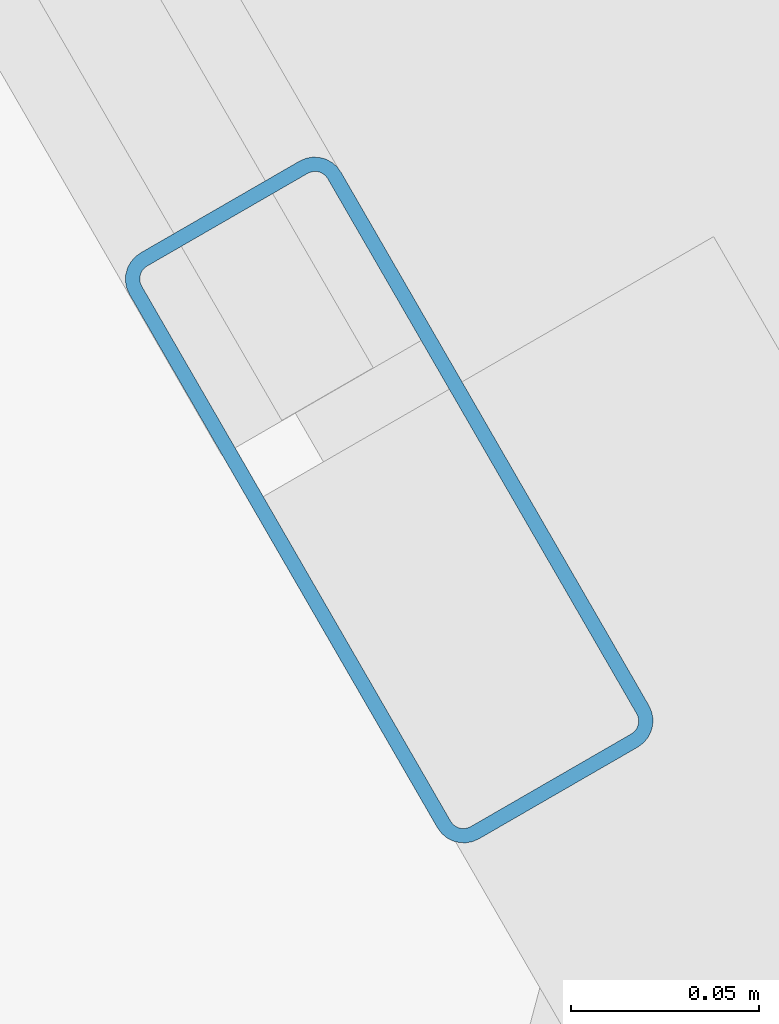
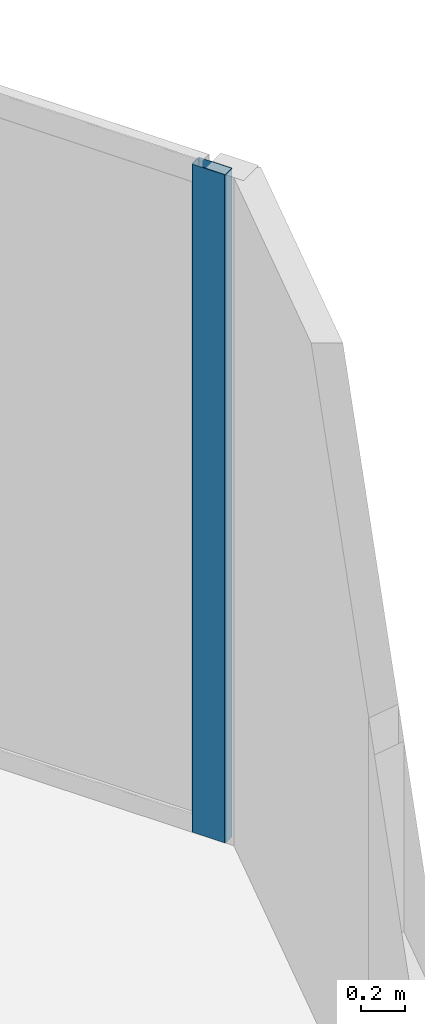
# One storey, part 18 of 26: 1 member, 1 element without a shape of its own.
"""IFC4 building model written with IfcOpenShell, lengths in metres."""

from ifc_helpers import new_model, si_unit, direction, frame, origin, origin_2d, place, context, subcontext, project, spatial, hollow_rectangle, extrude, source, transform, mapped, material, material_profile, profile_set, type_object, element, aggregate, save


model = new_model("IFC4")

# Units and contexts
model_context = context("Model", 3, precision=1e-05, world=origin(), true_north=direction((0.0, 1.0)))
body_context = subcontext(model_context, "Body", "Model", "MODEL_VIEW")
ifc_project = project(units=[si_unit("LENGTHUNIT", "METRE"), si_unit("AREAUNIT", "SQUARE_METRE"), si_unit("VOLUMEUNIT", "CUBIC_METRE"), si_unit("PLANEANGLEUNIT", "RADIAN"), si_unit("MASSUNIT", "GRAM", prefix="KILO")], contexts=[model_context])

# Site, building, storey
site_placement = place(None, origin())
site = spatial("IfcSite", under=ifc_project, at=site_placement, CompositionType="ELEMENT")
building_placement = place(site_placement, origin())
building = spatial("IfcBuilding", under=site, at=building_placement, Name="Torre Montelarca", CompositionType="ELEMENT")
storey_placement = place(building_placement, frame((0.0, 0.0, 104.199951171875)))
storey = spatial("IfcBuildingStorey", under=building, at=storey_placement, Name="L23", CompositionType="ELEMENT", Elevation=104.199951171875)

# Curtain wall, member
ifc_material_1 = material(Name="Insulated low-E laminated glass", Category="glass")
curtain_wall_type = type_object("IfcCurtainWallType", Name="CW-SYS-Z1", PredefinedType="USERDEFINED", material=ifc_material_1)
curtain_wall_placement = place(storey_placement, origin())
curtain_wall = element("IfcCurtainWall", 1, at=curtain_wall_placement, inside=storey, type_object=curtain_wall_type, Name="L23 Curtain Wall Run CW-T3-L23-E07-B1", ObjectType="UNITISED GLAZING", PredefinedType="USERDEFINED")
ifc_material_2 = material(Name="Anodised aluminium AA 6063-T6", Category="aluminium")
ifc_material_profile = material_profile(ifc_material_2, hollow_rectangle(XDim=0.06494140625, YDim=0.179931640625, WallThickness=0.00390625, InnerFilletRadius=0.00390625, OuterFilletRadius=0.008056640625, at=origin_2d()), Name="ALU65X180X4", Category="aluminium")
ifc_profile_set = profile_set([ifc_material_profile], Name="Anodised aluminium AA 6063-T6")
member_type = type_object("IfcMemberType", Name="CWM-ALU180", PredefinedType="MULLION", material=ifc_profile_set)
shared_shape = source(origin(), body_context, "Body", "SweptSolid", [
    extrude(hollow_rectangle(XDim=0.06494140625, YDim=0.179931640625, WallThickness=0.00390625, InnerFilletRadius=0.00390625, OuterFilletRadius=0.008056640625, at=origin_2d()), origin(), (0.0, 0.0, 1.0), 3.719970703125),
])
member_placement = place(storey_placement, frame((62.3740234375, 33.210693359375, 0.0), z_axis=(0.0, 0.0, 1.0), x_axis=(-0.866020776749, -0.500008014176, 0.0)))
member = element("IfcMember", 2, at=member_placement, type_object=member_type, Name="CW mullion 1", PredefinedType="MULLION", context=body_context, shape_type="MappedRepresentation", body=[
    mapped(shared_shape, transform((0.0, 0.0, 0.0), scale=1.0)),
])
aggregate(curtain_wall, [member])

save(model, "model.ifc")
